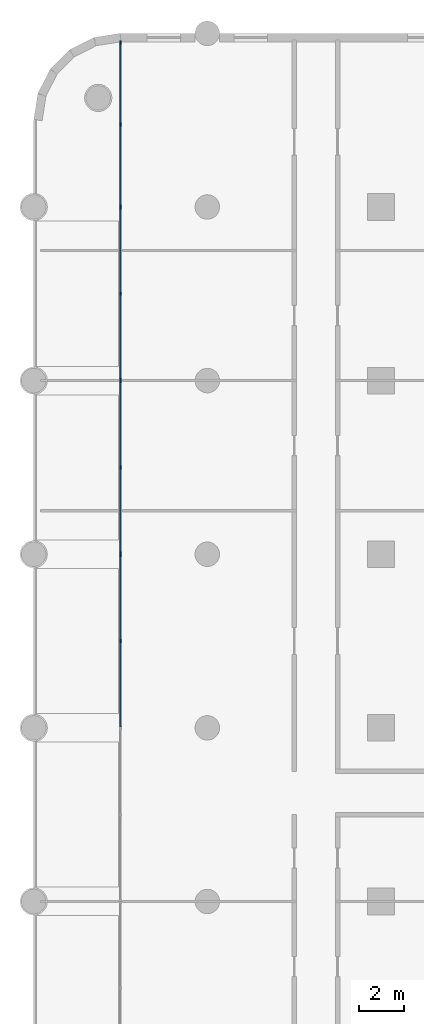
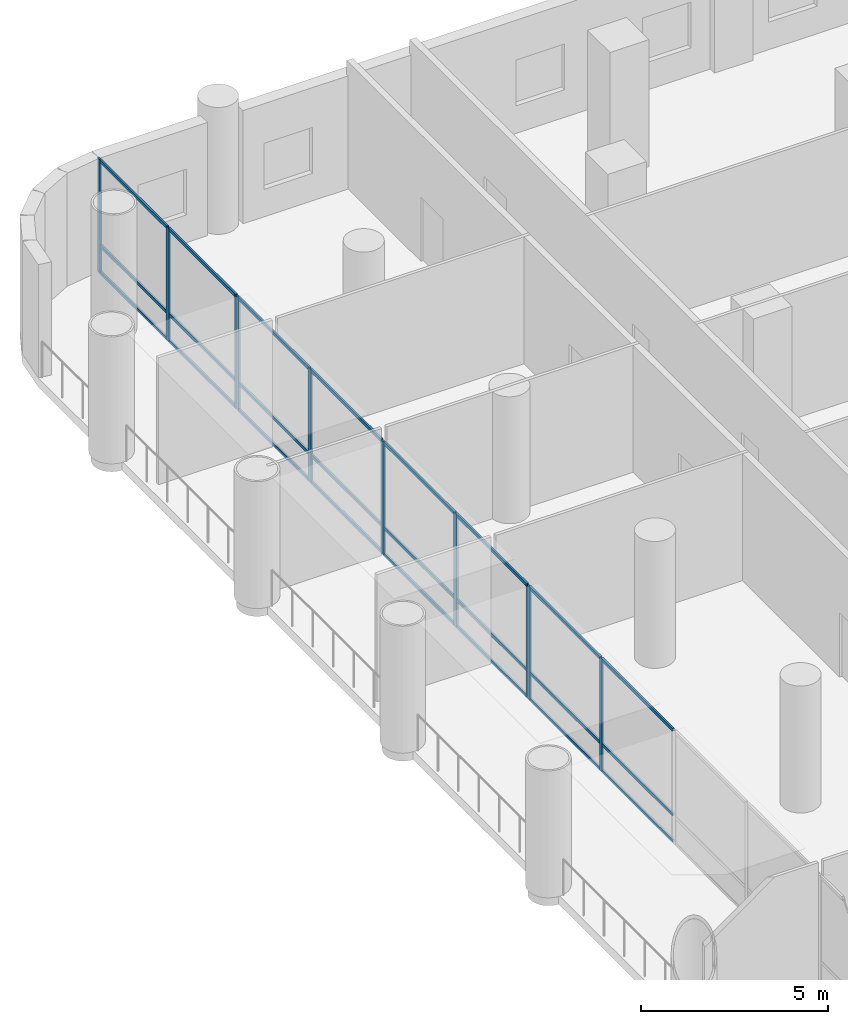
# One storey, part 5 of 23: 35 members, 4 elements without a shape of their own.
"""IFC4 building model written with IfcOpenShell, lengths in metres."""

from ifc_helpers import new_model, si_unit, direction, frame, origin, origin_2d, place, context, subcontext, project, spatial, rectangle, extrude, material, material_profile, profile_set, type_object, element, aggregate, save


model = new_model("IFC4")

# Units and contexts
model_context = context("Model", 3, precision=1e-05, world=origin(), true_north=direction((0.0, 1.0)))
body_context = subcontext(model_context, "Body", "Model", "MODEL_VIEW")
ifc_project = project(units=[si_unit("LENGTHUNIT", "METRE"), si_unit("AREAUNIT", "SQUARE_METRE"), si_unit("VOLUMEUNIT", "CUBIC_METRE"), si_unit("PLANEANGLEUNIT", "RADIAN"), si_unit("MASSUNIT", "GRAM", prefix="KILO")], contexts=[model_context])

# Site, building, storey
site_placement = place(None, origin())
site = spatial("IfcSite", under=ifc_project, at=site_placement, CompositionType="ELEMENT")
building_placement = place(site_placement, origin())
building = spatial("IfcBuilding", under=site, at=building_placement, Name="Ludao Terraces", CompositionType="ELEMENT")
storey_placement = place(building_placement, frame((0.0, 0.0, 10.5)))
storey = spatial("IfcBuildingStorey", under=building, at=storey_placement, Name="L02", CompositionType="ELEMENT", Elevation=10.5)

# Curtain wall, members
ifc_material_1 = material(Name="Aluminium curtain wall with fritted glass", Category="aluminium")
curtain_wall_type = type_object("IfcCurtainWallType", Name="ENV CW1 podium glazing", PredefinedType="NOTDEFINED", material=ifc_material_1)
curtain_wall_1_placement = place(storey_placement, origin())
curtain_wall_1 = element("IfcCurtainWall", 1, at=curtain_wall_1_placement, inside=storey, type_object=curtain_wall_type, Name="CW-L02-W5", PredefinedType="NOTDEFINED")
ifc_material_2 = material(Name="Aluminium 6063-T6", Category="aluminium")
ifc_material_profile_1 = material_profile(ifc_material_2, rectangle(XDim=0.06005859375, YDim=0.14990234375, at=origin_2d()), Name="60 X 150")
ifc_profile_set_1 = profile_set([ifc_material_profile_1], Name="Aluminium 6063-T6")
member_type_1 = type_object("IfcMemberType", Name="ENV CW1 mullion 60x150", PredefinedType="MULLION", material=ifc_profile_set_1)
member_1_placement = place(storey_placement, frame((49.89990234375, 61.10009765625, 0.0), z_axis=(0.0, 0.0, 1.0), x_axis=(-1.0, 0.0, 0.0)))
member_1 = element("IfcMember", 2, at=member_1_placement, type_object=member_type_1, Name="CW1 mullion 2", PredefinedType="MULLION", context=body_context, shape_type="SweptSolid", body=[
    extrude(rectangle(XDim=0.06005859375, YDim=0.14990234375, at=origin_2d()), origin(), (0.0, 0.0, 1.0), 3.699951171875),
])
member_2_placement = place(storey_placement, frame((49.89990234375, 64.969970703125, 0.0), z_axis=(0.0, 0.0, 1.0), x_axis=(-1.0, 0.0, 0.0)))
member_2 = element("IfcMember", 3, at=member_2_placement, type_object=member_type_1, Name="CW1 mullion 3", PredefinedType="MULLION", context=body_context, shape_type="SweptSolid", body=[
    extrude(rectangle(XDim=0.06005859375, YDim=0.14990234375, at=origin_2d()), origin(), (0.0, 0.0, 1.0), 3.699951171875),
])

curtain_wall_2_placement = place(storey_placement, origin())
curtain_wall_2 = element("IfcCurtainWall", 4, at=curtain_wall_2_placement, inside=storey, type_object=curtain_wall_type, Name="CW-L02-W6", PredefinedType="NOTDEFINED")
member_3_placement = place(storey_placement, frame((49.89990234375, 65.030029296875, 0.0), z_axis=(0.0, 0.0, 1.0), x_axis=(-1.0, 0.0, 0.0)))
member_3 = element("IfcMember", 5, at=member_3_placement, type_object=member_type_1, Name="CW1 mullion 1", PredefinedType="MULLION", context=body_context, shape_type="SweptSolid", body=[
    extrude(rectangle(XDim=0.06005859375, YDim=0.14990234375, at=origin_2d()), origin(), (0.0, 0.0, 1.0), 3.699951171875),
])
member_4_placement = place(storey_placement, frame((49.89990234375, 68.89990234375, 0.0), z_axis=(0.0, 0.0, 1.0), x_axis=(-1.0, 0.0, 0.0)))
member_4 = element("IfcMember", 6, at=member_4_placement, type_object=member_type_1, Name="CW1 mullion 2", PredefinedType="MULLION", context=body_context, shape_type="SweptSolid", body=[
    extrude(rectangle(XDim=0.06005859375, YDim=0.14990234375, at=origin_2d()), origin(), (0.0, 0.0, 1.0), 3.699951171875),
])
member_5_placement = place(storey_placement, frame((49.89990234375, 72.77001953125, 0.0), z_axis=(0.0, 0.0, 1.0), x_axis=(-1.0, 0.0, 0.0)))
member_5 = element("IfcMember", 7, at=member_5_placement, type_object=member_type_1, Name="CW1 mullion 3", PredefinedType="MULLION", context=body_context, shape_type="SweptSolid", body=[
    extrude(rectangle(XDim=0.06005859375, YDim=0.14990234375, at=origin_2d()), origin(), (0.0, 0.0, 1.0), 3.699951171875),
])

curtain_wall_3_placement = place(storey_placement, origin())
curtain_wall_3 = element("IfcCurtainWall", 8, at=curtain_wall_3_placement, inside=storey, type_object=curtain_wall_type, Name="CW-L02-W7", PredefinedType="NOTDEFINED")
member_6_placement = place(storey_placement, frame((49.89990234375, 72.830078125, 0.0), z_axis=(0.0, 0.0, 1.0), x_axis=(-1.0, 0.0, 0.0)))
member_6 = element("IfcMember", 9, at=member_6_placement, type_object=member_type_1, Name="CW1 mullion 1", PredefinedType="MULLION", context=body_context, shape_type="SweptSolid", body=[
    extrude(rectangle(XDim=0.06005859375, YDim=0.14990234375, at=origin_2d()), origin(), (0.0, 0.0, 1.0), 3.699951171875),
])
member_7_placement = place(storey_placement, frame((49.89990234375, 76.699951171875, 0.0), z_axis=(0.0, 0.0, 1.0), x_axis=(-1.0, 0.0, 0.0)))
member_7 = element("IfcMember", 10, at=member_7_placement, type_object=member_type_1, Name="CW1 mullion 2", PredefinedType="MULLION", context=body_context, shape_type="SweptSolid", body=[
    extrude(rectangle(XDim=0.06005859375, YDim=0.14990234375, at=origin_2d()), origin(), (0.0, 0.0, 1.0), 3.699951171875),
])
member_8_placement = place(storey_placement, frame((49.89990234375, 80.570068359375, 0.0), z_axis=(0.0, 0.0, 1.0), x_axis=(-1.0, 0.0, 0.0)))
member_8 = element("IfcMember", 11, at=member_8_placement, type_object=member_type_1, Name="CW1 mullion 3", PredefinedType="MULLION", context=body_context, shape_type="SweptSolid", body=[
    extrude(rectangle(XDim=0.06005859375, YDim=0.14990234375, at=origin_2d()), origin(), (0.0, 0.0, 1.0), 3.699951171875),
])

curtain_wall_4_placement = place(storey_placement, origin())
curtain_wall_4 = element("IfcCurtainWall", 12, at=curtain_wall_4_placement, inside=storey, type_object=curtain_wall_type, Name="CW-L02-W8", PredefinedType="NOTDEFINED")
member_9_placement = place(storey_placement, frame((49.89990234375, 80.6298828125, 0.0), z_axis=(0.0, 0.0, 1.0), x_axis=(-1.0, 0.0, 0.0)))
member_9 = element("IfcMember", 13, at=member_9_placement, type_object=member_type_1, Name="CW1 mullion 1", PredefinedType="MULLION", context=body_context, shape_type="SweptSolid", body=[
    extrude(rectangle(XDim=0.06005859375, YDim=0.14990234375, at=origin_2d()), origin(), (0.0, 0.0, 1.0), 3.699951171875),
])
member_10_placement = place(storey_placement, frame((49.89990234375, 84.31005859375, 0.0), z_axis=(0.0, 0.0, 1.0), x_axis=(-1.0, 0.0, 0.0)))
member_10 = element("IfcMember", 14, at=member_10_placement, type_object=member_type_1, Name="CW1 mullion 2", PredefinedType="MULLION", context=body_context, shape_type="SweptSolid", body=[
    extrude(rectangle(XDim=0.06005859375, YDim=0.14990234375, at=origin_2d()), origin(), (0.0, 0.0, 1.0), 3.699951171875),
])
member_11_placement = place(storey_placement, frame((49.89990234375, 87.989990234375, 0.0), z_axis=(0.0, 0.0, 1.0), x_axis=(-1.0, 0.0, 0.0)))
member_11 = element("IfcMember", 15, at=member_11_placement, type_object=member_type_1, Name="CW1 mullion 3", PredefinedType="MULLION", context=body_context, shape_type="SweptSolid", body=[
    extrude(rectangle(XDim=0.06005859375, YDim=0.14990234375, at=origin_2d()), origin(), (0.0, 0.0, 1.0), 3.699951171875),
])

# Member
ifc_material_profile_2 = material_profile(ifc_material_2, rectangle(XDim=0.06005859375, YDim=0.10009765625, at=origin_2d()), Name="60 X 100")
ifc_profile_set_2 = profile_set([ifc_material_profile_2], Name="Aluminium 6063-T6")
member_type_2 = type_object("IfcMemberType", Name="ENV CW1 transom 60x100", PredefinedType="USERDEFINED", material=ifc_profile_set_2)
member_12_placement = place(storey_placement, frame((49.89990234375, 57.260009765625, 0.030029296875), z_axis=(0.0, 1.0, 0.0), x_axis=(-1.0, 0.0, 0.0)))
member_12 = element("IfcMember", 16, at=member_12_placement, type_object=member_type_2, Name="CW1 transom 1.1", ObjectType="TRANSOM", PredefinedType="USERDEFINED", context=body_context, shape_type="SweptSolid", body=[
    extrude(rectangle(XDim=0.06005859375, YDim=0.10009765625, at=origin_2d()), origin(), (0.0, 0.0, 1.0), 3.81005859375),
])

member_13_placement = place(storey_placement, frame((49.89990234375, 57.260009765625, 0.89990234375), z_axis=(0.0, 1.0, 0.0), x_axis=(-1.0, 0.0, 0.0)))
member_13 = element("IfcMember", 17, at=member_13_placement, type_object=member_type_2, Name="CW1 transom 1.2", ObjectType="TRANSOM", PredefinedType="USERDEFINED", context=body_context, shape_type="SweptSolid", body=[
    extrude(rectangle(XDim=0.06005859375, YDim=0.10009765625, at=origin_2d()), origin(), (0.0, 0.0, 1.0), 3.81005859375),
])

member_14_placement = place(storey_placement, frame((49.89990234375, 57.260009765625, 3.669921875), z_axis=(0.0, 1.0, 0.0), x_axis=(-1.0, 0.0, 0.0)))
member_14 = element("IfcMember", 18, at=member_14_placement, type_object=member_type_2, Name="CW1 transom 1.3", ObjectType="TRANSOM", PredefinedType="USERDEFINED", context=body_context, shape_type="SweptSolid", body=[
    extrude(rectangle(XDim=0.06005859375, YDim=0.10009765625, at=origin_2d()), origin(), (0.0, 0.0, 1.0), 3.81005859375),
])

member_15_placement = place(storey_placement, frame((49.89990234375, 61.1298828125, 0.030029296875), z_axis=(0.0, 1.0, 0.0), x_axis=(-1.0, 0.0, 0.0)))
member_15 = element("IfcMember", 19, at=member_15_placement, type_object=member_type_2, Name="CW1 transom 2.1", ObjectType="TRANSOM", PredefinedType="USERDEFINED", context=body_context, shape_type="SweptSolid", body=[
    extrude(rectangle(XDim=0.06005859375, YDim=0.10009765625, at=origin_2d()), origin(), (0.0, 0.0, 1.0), 3.81005859375),
])

member_16_placement = place(storey_placement, frame((49.89990234375, 61.1298828125, 0.89990234375), z_axis=(0.0, 1.0, 0.0), x_axis=(-1.0, 0.0, 0.0)))
member_16 = element("IfcMember", 20, at=member_16_placement, type_object=member_type_2, Name="CW1 transom 2.2", ObjectType="TRANSOM", PredefinedType="USERDEFINED", context=body_context, shape_type="SweptSolid", body=[
    extrude(rectangle(XDim=0.06005859375, YDim=0.10009765625, at=origin_2d()), origin(), (0.0, 0.0, 1.0), 3.81005859375),
])

member_17_placement = place(storey_placement, frame((49.89990234375, 61.1298828125, 3.669921875), z_axis=(0.0, 1.0, 0.0), x_axis=(-1.0, 0.0, 0.0)))
member_17 = element("IfcMember", 21, at=member_17_placement, type_object=member_type_2, Name="CW1 transom 2.3", ObjectType="TRANSOM", PredefinedType="USERDEFINED", context=body_context, shape_type="SweptSolid", body=[
    extrude(rectangle(XDim=0.06005859375, YDim=0.10009765625, at=origin_2d()), origin(), (0.0, 0.0, 1.0), 3.81005859375),
])

aggregate(curtain_wall_1, [member_1, member_2, member_12, member_13, member_14, member_15, member_16, member_17])

member_18_placement = place(storey_placement, frame((49.89990234375, 65.06005859375, 0.030029296875), z_axis=(0.0, 1.0, 0.0), x_axis=(-1.0, 0.0, 0.0)))
member_18 = element("IfcMember", 22, at=member_18_placement, type_object=member_type_2, Name="CW1 transom 1.1", ObjectType="TRANSOM", PredefinedType="USERDEFINED", context=body_context, shape_type="SweptSolid", body=[
    extrude(rectangle(XDim=0.06005859375, YDim=0.10009765625, at=origin_2d()), origin(), (0.0, 0.0, 1.0), 3.81005859375),
])

member_19_placement = place(storey_placement, frame((49.89990234375, 65.06005859375, 0.89990234375), z_axis=(0.0, 1.0, 0.0), x_axis=(-1.0, 0.0, 0.0)))
member_19 = element("IfcMember", 23, at=member_19_placement, type_object=member_type_2, Name="CW1 transom 1.2", ObjectType="TRANSOM", PredefinedType="USERDEFINED", context=body_context, shape_type="SweptSolid", body=[
    extrude(rectangle(XDim=0.06005859375, YDim=0.10009765625, at=origin_2d()), origin(), (0.0, 0.0, 1.0), 3.81005859375),
])

member_20_placement = place(storey_placement, frame((49.89990234375, 65.06005859375, 3.669921875), z_axis=(0.0, 1.0, 0.0), x_axis=(-1.0, 0.0, 0.0)))
member_20 = element("IfcMember", 24, at=member_20_placement, type_object=member_type_2, Name="CW1 transom 1.3", ObjectType="TRANSOM", PredefinedType="USERDEFINED", context=body_context, shape_type="SweptSolid", body=[
    extrude(rectangle(XDim=0.06005859375, YDim=0.10009765625, at=origin_2d()), origin(), (0.0, 0.0, 1.0), 3.81005859375),
])

member_21_placement = place(storey_placement, frame((49.89990234375, 68.929931640625, 0.030029296875), z_axis=(0.0, 1.0, 0.0), x_axis=(-1.0, 0.0, 0.0)))
member_21 = element("IfcMember", 25, at=member_21_placement, type_object=member_type_2, Name="CW1 transom 2.1", ObjectType="TRANSOM", PredefinedType="USERDEFINED", context=body_context, shape_type="SweptSolid", body=[
    extrude(rectangle(XDim=0.06005859375, YDim=0.10009765625, at=origin_2d()), origin(), (0.0, 0.0, 1.0), 3.81005859375),
])

member_22_placement = place(storey_placement, frame((49.89990234375, 68.929931640625, 0.89990234375), z_axis=(0.0, 1.0, 0.0), x_axis=(-1.0, 0.0, 0.0)))
member_22 = element("IfcMember", 26, at=member_22_placement, type_object=member_type_2, Name="CW1 transom 2.2", ObjectType="TRANSOM", PredefinedType="USERDEFINED", context=body_context, shape_type="SweptSolid", body=[
    extrude(rectangle(XDim=0.06005859375, YDim=0.10009765625, at=origin_2d()), origin(), (0.0, 0.0, 1.0), 3.81005859375),
])

member_23_placement = place(storey_placement, frame((49.89990234375, 68.929931640625, 3.669921875), z_axis=(0.0, 1.0, 0.0), x_axis=(-1.0, 0.0, 0.0)))
member_23 = element("IfcMember", 27, at=member_23_placement, type_object=member_type_2, Name="CW1 transom 2.3", ObjectType="TRANSOM", PredefinedType="USERDEFINED", context=body_context, shape_type="SweptSolid", body=[
    extrude(rectangle(XDim=0.06005859375, YDim=0.10009765625, at=origin_2d()), origin(), (0.0, 0.0, 1.0), 3.81005859375),
])

aggregate(curtain_wall_2, [member_3, member_4, member_5, member_18, member_19, member_20, member_21, member_22, member_23])

member_24_placement = place(storey_placement, frame((49.89990234375, 72.860107421875, 0.030029296875), z_axis=(0.0, 1.0, 0.0), x_axis=(-1.0, 0.0, 0.0)))
member_24 = element("IfcMember", 28, at=member_24_placement, type_object=member_type_2, Name="CW1 transom 1.1", ObjectType="TRANSOM", PredefinedType="USERDEFINED", context=body_context, shape_type="SweptSolid", body=[
    extrude(rectangle(XDim=0.06005859375, YDim=0.10009765625, at=origin_2d()), origin(), (0.0, 0.0, 1.0), 3.809814453125),
])

member_25_placement = place(storey_placement, frame((49.89990234375, 72.860107421875, 0.89990234375), z_axis=(0.0, 1.0, 0.0), x_axis=(-1.0, 0.0, 0.0)))
member_25 = element("IfcMember", 29, at=member_25_placement, type_object=member_type_2, Name="CW1 transom 1.2", ObjectType="TRANSOM", PredefinedType="USERDEFINED", context=body_context, shape_type="SweptSolid", body=[
    extrude(rectangle(XDim=0.06005859375, YDim=0.10009765625, at=origin_2d()), origin(), (0.0, 0.0, 1.0), 3.809814453125),
])

member_26_placement = place(storey_placement, frame((49.89990234375, 72.860107421875, 3.669921875), z_axis=(0.0, 1.0, 0.0), x_axis=(-1.0, 0.0, 0.0)))
member_26 = element("IfcMember", 30, at=member_26_placement, type_object=member_type_2, Name="CW1 transom 1.3", ObjectType="TRANSOM", PredefinedType="USERDEFINED", context=body_context, shape_type="SweptSolid", body=[
    extrude(rectangle(XDim=0.06005859375, YDim=0.10009765625, at=origin_2d()), origin(), (0.0, 0.0, 1.0), 3.809814453125),
])

member_27_placement = place(storey_placement, frame((49.89990234375, 76.72998046875, 0.030029296875), z_axis=(0.0, 1.0, 0.0), x_axis=(-1.0, 0.0, 0.0)))
member_27 = element("IfcMember", 31, at=member_27_placement, type_object=member_type_2, Name="CW1 transom 2.1", ObjectType="TRANSOM", PredefinedType="USERDEFINED", context=body_context, shape_type="SweptSolid", body=[
    extrude(rectangle(XDim=0.06005859375, YDim=0.10009765625, at=origin_2d()), origin(), (0.0, 0.0, 1.0), 3.81005859375),
])

member_28_placement = place(storey_placement, frame((49.89990234375, 76.72998046875, 0.89990234375), z_axis=(0.0, 1.0, 0.0), x_axis=(-1.0, 0.0, 0.0)))
member_28 = element("IfcMember", 32, at=member_28_placement, type_object=member_type_2, Name="CW1 transom 2.2", ObjectType="TRANSOM", PredefinedType="USERDEFINED", context=body_context, shape_type="SweptSolid", body=[
    extrude(rectangle(XDim=0.06005859375, YDim=0.10009765625, at=origin_2d()), origin(), (0.0, 0.0, 1.0), 3.81005859375),
])

member_29_placement = place(storey_placement, frame((49.89990234375, 76.72998046875, 3.669921875), z_axis=(0.0, 1.0, 0.0), x_axis=(-1.0, 0.0, 0.0)))
member_29 = element("IfcMember", 33, at=member_29_placement, type_object=member_type_2, Name="CW1 transom 2.3", ObjectType="TRANSOM", PredefinedType="USERDEFINED", context=body_context, shape_type="SweptSolid", body=[
    extrude(rectangle(XDim=0.06005859375, YDim=0.10009765625, at=origin_2d()), origin(), (0.0, 0.0, 1.0), 3.81005859375),
])

aggregate(curtain_wall_3, [member_6, member_7, member_8, member_24, member_25, member_26, member_27, member_28, member_29])

member_30_placement = place(storey_placement, frame((49.89990234375, 80.659912109375, 0.030029296875), z_axis=(0.0, 1.0, 0.0), x_axis=(-1.0, 0.0, 0.0)))
member_30 = element("IfcMember", 34, at=member_30_placement, type_object=member_type_2, Name="CW1 transom 1.1", ObjectType="TRANSOM", PredefinedType="USERDEFINED", context=body_context, shape_type="SweptSolid", body=[
    extrude(rectangle(XDim=0.06005859375, YDim=0.10009765625, at=origin_2d()), origin(), (0.0, 0.0, 1.0), 3.6201171875),
])

member_31_placement = place(storey_placement, frame((49.89990234375, 80.659912109375, 0.89990234375), z_axis=(0.0, 1.0, 0.0), x_axis=(-1.0, 0.0, 0.0)))
member_31 = element("IfcMember", 35, at=member_31_placement, type_object=member_type_2, Name="CW1 transom 1.2", ObjectType="TRANSOM", PredefinedType="USERDEFINED", context=body_context, shape_type="SweptSolid", body=[
    extrude(rectangle(XDim=0.06005859375, YDim=0.10009765625, at=origin_2d()), origin(), (0.0, 0.0, 1.0), 3.6201171875),
])

member_32_placement = place(storey_placement, frame((49.89990234375, 80.659912109375, 3.669921875), z_axis=(0.0, 1.0, 0.0), x_axis=(-1.0, 0.0, 0.0)))
member_32 = element("IfcMember", 36, at=member_32_placement, type_object=member_type_2, Name="CW1 transom 1.3", ObjectType="TRANSOM", PredefinedType="USERDEFINED", context=body_context, shape_type="SweptSolid", body=[
    extrude(rectangle(XDim=0.06005859375, YDim=0.10009765625, at=origin_2d()), origin(), (0.0, 0.0, 1.0), 3.6201171875),
])

member_33_placement = place(storey_placement, frame((49.89990234375, 84.340087890625, 0.030029296875), z_axis=(0.0, 1.0, 0.0), x_axis=(-1.0, 0.0, 0.0)))
member_33 = element("IfcMember", 37, at=member_33_placement, type_object=member_type_2, Name="CW1 transom 2.1", ObjectType="TRANSOM", PredefinedType="USERDEFINED", context=body_context, shape_type="SweptSolid", body=[
    extrude(rectangle(XDim=0.06005859375, YDim=0.10009765625, at=origin_2d()), origin(), (0.0, 0.0, 1.0), 3.619873046875),
])

member_34_placement = place(storey_placement, frame((49.89990234375, 84.340087890625, 0.89990234375), z_axis=(0.0, 1.0, 0.0), x_axis=(-1.0, 0.0, 0.0)))
member_34 = element("IfcMember", 38, at=member_34_placement, type_object=member_type_2, Name="CW1 transom 2.2", ObjectType="TRANSOM", PredefinedType="USERDEFINED", context=body_context, shape_type="SweptSolid", body=[
    extrude(rectangle(XDim=0.06005859375, YDim=0.10009765625, at=origin_2d()), origin(), (0.0, 0.0, 1.0), 3.619873046875),
])

member_35_placement = place(storey_placement, frame((49.89990234375, 84.340087890625, 3.669921875), z_axis=(0.0, 1.0, 0.0), x_axis=(-1.0, 0.0, 0.0)))
member_35 = element("IfcMember", 39, at=member_35_placement, type_object=member_type_2, Name="CW1 transom 2.3", ObjectType="TRANSOM", PredefinedType="USERDEFINED", context=body_context, shape_type="SweptSolid", body=[
    extrude(rectangle(XDim=0.06005859375, YDim=0.10009765625, at=origin_2d()), origin(), (0.0, 0.0, 1.0), 3.619873046875),
])

aggregate(curtain_wall_4, [member_9, member_10, member_11, member_30, member_31, member_32, member_33, member_34, member_35])

save(model, "model.ifc")
